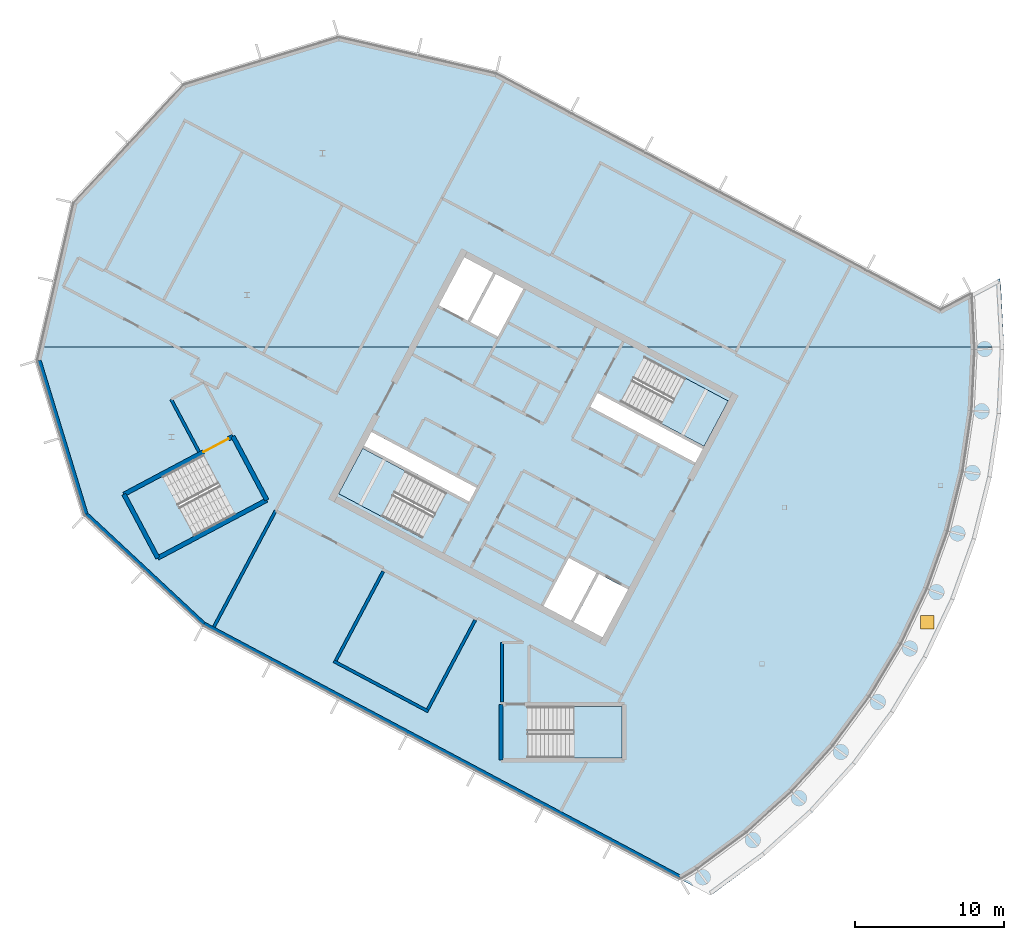
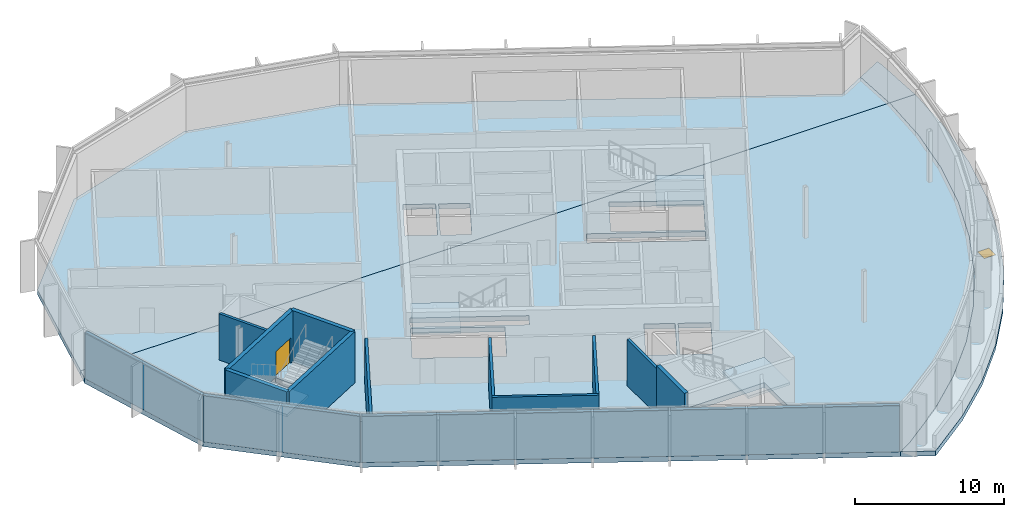
# One storey, part 5 of 15: 14 walls, 8 slabs, 2 doors, 2 openings, 4 elements without a shape of their own.
"""IFC4 building model written with IfcOpenShell, lengths in metres."""

from ifc_helpers import new_model, si_unit, direction, frame, frame_2d, origin, origin_2d, place, context, subcontext, project, spatial, polyline, rectangle, outline, extrude, material, layer, layer_set, type_object, element, fill, aggregate, save


model = new_model("IFC4")

# Units and contexts
model_context = context("Model", 3, precision=1e-05, world=origin(), true_north=direction((0.0, 1.0)))
body_context = subcontext(model_context, "Body", "Model", "MODEL_VIEW")
ifc_project = project(units=[si_unit("LENGTHUNIT", "METRE"), si_unit("AREAUNIT", "SQUARE_METRE"), si_unit("VOLUMEUNIT", "CUBIC_METRE"), si_unit("PLANEANGLEUNIT", "RADIAN"), si_unit("MASSUNIT", "GRAM", prefix="KILO")], contexts=[model_context])

# Site, building, storey
site_placement = place(None, origin())
site = spatial("IfcSite", under=ifc_project, at=site_placement, CompositionType="ELEMENT")
building_placement = place(site_placement, origin())
building = spatial("IfcBuilding", under=site, at=building_placement, Name="Cormorant Relay Tower", CompositionType="ELEMENT")
storey_placement = place(building_placement, frame((0.0, 0.0, 336.60009765625)))
storey = spatial("IfcBuildingStorey", under=building, at=storey_placement, Name="C3", CompositionType="ELEMENT", Elevation=336.60009765625)

# Slabs
ifc_material_1 = material(Name="Concrete 40 MPa", Category="concrete")
ifc_layer_1 = layer(ifc_material_1, 0.400146484375)
ifc_layer_set_1 = layer_set([ifc_layer_1], Name="Crown floor slab 400")
slab_type_1 = type_object("IfcSlabType", Name="Crown floor slab 400", PredefinedType="FLOOR", material=ifc_layer_set_1)
slab_1_placement = place(storey_placement, frame((0.0, 0.0, -0.400390625)))
element("IfcSlab", 1, at=slab_1_placement, inside=storey, type_object=slab_type_1, Name="Crown floor C3", PredefinedType="FLOOR", context=body_context, shape_type="SweptSolid", body=[
    extrude(outline(polyline([(-17.520751953125, -14.468017578125), (-16.398681640625, -13.79541015625), (-13.088134765625, -11.340087890625), (-10.0341796875, -8.572265625), (-7.26611328125, -5.518310546875), (-4.810791015625, -2.207763671875), (-2.69189453125, 1.32763671875), (-0.9296875, 5.053466796875), (0.458984375, 8.934326171875), (1.460205078125, 12.932373046875), (2.065185546875, 17.009521484375), (2.267333984375, 21.126220703125), (2.2587890625, 21.300048828125), (-60.510498046875, 21.300048828125), (-60.7197265625, 20.393310546875), (-57.541748046875, 9.997802734375), (-49.591552734375, 2.584228515625), (-17.520751953125, -14.468017578125)]), holes=[polyline([(-21.39990234375, -2.875), (-27.75, -2.875), (-27.75, -6.324951171875), (-21.39990234375, -6.324951171875), (-21.39990234375, -2.875)]), polyline([(-22.95458984375, 6.03271484375), (-24.668212890625, 2.81005859375), (-22.725830078125, 1.777099609375), (-21.01220703125, 5.0), (-23.04296875, 6.07958984375), (-22.95458984375, 6.03271484375)]), polyline([(-24.985595703125, 7.112548828125), (-26.69921875, 3.889892578125), (-24.844970703125, 2.90380859375), (-23.13134765625, 6.126708984375), (-23.04296875, 6.07958984375), (-24.985595703125, 7.112548828125)]), polyline([(-54.69970703125, 11.330810546875), (-52.563720703125, 7.3134765625), (-47.442626953125, 10.036376953125), (-49.57861328125, 14.0537109375), (-54.69970703125, 11.330810546875)]), polyline([(-38.847900390625, 14.483154296875), (-40.46728515625, 11.43701171875), (-34.860595703125, 8.455810546875), (-33.240966796875, 11.502197265625), (-38.847900390625, 14.483154296875)]), polyline([(-31.690185546875, 10.904052734375), (-31.197265625, 11.8310546875), (-38.260986328125, 15.5869140625), (-38.75390625, 14.659912109375), (-31.690185546875, 10.904052734375)]), polyline([(-23.052490234375, 18.203125), (-23.54541015625, 17.276123046875), (-16.481689453125, 13.520263671875), (-15.989013671875, 14.447509765625), (-23.052490234375, 18.203125)]), polyline([(-14.275390625, 17.670166015625), (-19.882080078125, 20.6513671875), (-21.501708984375, 17.605224609375), (-15.89501953125, 14.6240234375), (-14.275390625, 17.670166015625)])]), origin(), (0.0, 0.0, 1.0), 0.400390625),
])
slab_2_placement = place(storey_placement, frame((0.0, 0.0, -0.400390625)))
element("IfcSlab", 2, at=slab_2_placement, inside=storey, type_object=slab_type_1, Name="Crown floor C3", PredefinedType="FLOOR", context=body_context, shape_type="SweptSolid", body=[
    extrude(outline(polyline([(-60.510498046875, 21.300048828125), (2.2587890625, 21.300048828125), (2.08251953125, 24.89111328125), (0.0, 23.783935546875), (-29.873779296875, 39.668212890625), (-40.465576171875, 42.11328125), (-50.86083984375, 38.935302734375), (-58.2744140625, 30.985107421875), (-60.510498046875, 21.300048828125)]), holes=[polyline([(-29.75732421875, 21.99462890625), (-28.043701171875, 25.217529296875), (-29.89794921875, 26.203369140625), (-31.611572265625, 22.980712890625), (-29.75732421875, 21.99462890625)]), polyline([(-33.73046875, 24.107421875), (-31.7880859375, 23.074462890625), (-30.074462890625, 26.29736328125), (-32.01708984375, 27.330078125), (-33.73046875, 24.107421875)])]), origin(), (0.0, 0.0, 1.0), 0.400390625),
])

# Slab, opening, door
ifc_material_2 = material(Name="Concrete 40 MPa", Category="concrete")
ifc_layer_2 = layer(ifc_material_2, 0.400146484375)
ifc_layer_set_2 = layer_set([ifc_layer_2], Name="Crown terrace roof slab 400")
slab_type_2 = type_object("IfcSlabType", Name="Crown terrace roof slab 400", PredefinedType="ROOF", material=ifc_layer_set_2)
slab_3_placement = place(storey_placement, frame((0.0, 0.0, -0.400390625)))
slab_3 = element("IfcSlab", 3, at=slab_3_placement, inside=storey, type_object=slab_type_2, Name="Roof C2", PredefinedType="ROOF", context=body_context, shape_type="SweptSolid", body=[
    extrude(outline(polyline([(-15.461669921875, -15.562744140625), (-15.28759765625, -15.45849609375), (-11.8193359375, -12.88623046875), (-8.619873046875, -9.986572265625), (-5.72021484375, -6.787109375), (-3.14794921875, -3.31884765625), (-0.927978515625, 0.384765625), (0.918212890625, 4.2880859375), (2.372802734375, 8.353759765625), (3.421875, 12.542236328125), (4.055419921875, 16.8134765625), (4.267333984375, 21.126220703125), (4.2587890625, 21.300048828125), (2.259765625, 21.300048828125), (2.268310546875, 21.126220703125), (2.268310546875, 21.126220703125), (2.066162109375, 17.009521484375), (2.066162109375, 17.009521484375), (1.461181640625, 12.932373046875), (1.461181640625, 12.93212890625), (0.459716796875, 8.93408203125), (0.459716796875, 8.933837890625), (-0.9287109375, 5.05322265625), (-0.9287109375, 5.052978515625), (-2.69091796875, 1.3271484375), (-2.691162109375, 1.326904296875), (-4.81005859375, -2.208251953125), (-4.81005859375, -2.208251953125), (-7.265380859375, -5.518798828125), (-7.265380859375, -5.51904296875), (-10.033447265625, -8.572998046875), (-10.033447265625, -8.572998046875), (-13.08740234375, -11.341064453125), (-13.08740234375, -11.341064453125), (-16.398193359375, -13.79638671875), (-16.398193359375, -13.79638671875), (-17.519775390625, -14.468505859375), (-15.461669921875, -15.562744140625)])), origin(), (0.0, 0.0, 1.0), 0.400390625),
])
opening_1_placement = place(slab_3_placement, frame((-0.89892578125, 2.781005859375, 0.0)))
opening_1 = element("IfcOpeningElement", 4, at=opening_1_placement, cuts=slab_3, Name="Opening CRD3-002", PredefinedType="OPENING", context=body_context, shape_type="SweptSolid", body=[
    extrude(rectangle(XDim=0.89990234375, YDim=0.89990234375, at=origin_2d()), origin(), (0.0, 0.0, 1.0), 0.400390625),
])
ifc_material_3 = material(Name="Aluminium hatch", Category="aluminium")
door_type_1 = type_object("IfcDoorType", Name="Roof hatch 900 x 900", OperationType="SINGLE_SWING_LEFT", PredefinedType="TRAPDOOR", material=ifc_material_3)
door_1_placement = place(opening_1_placement, frame((0.0, 0.0, 0.350341796875)))
door_1 = element("IfcDoor", 5, at=door_1_placement, inside=storey, type_object=door_type_1, Name="Maintenance roof hatch", OperationType="SINGLE_SWING_LEFT", OverallHeight=0.89990234375, OverallWidth=0.89990234375, PredefinedType="TRAPDOOR", context=body_context, shape_type="SweptSolid", body=[
    extrude(rectangle(XDim=0.89990234375, YDim=0.89990234375, at=origin_2d()), origin(), (0.0, 0.0, 1.0), 0.050048828125),
])
fill(opening_1, door_1)

# Slab
slab_4_placement = place(storey_placement, frame((0.0, 0.0, -0.400390625)))
element("IfcSlab", 6, at=slab_4_placement, inside=storey, type_object=slab_type_2, Name="Roof C2", PredefinedType="ROOF", context=body_context, shape_type="SweptSolid", body=[
    extrude(outline(polyline([(2.259765625, 21.300048828125), (4.2587890625, 21.300048828125), (4.055419921875, 25.43896484375), (3.986572265625, 25.90380859375), (2.083251953125, 24.8916015625), (2.083251953125, 24.8916015625), (2.083251953125, 24.8916015625), (2.08349609375, 24.891357421875), (2.08349609375, 24.891357421875), (2.08349609375, 24.891357421875), (2.259765625, 21.300048828125)])), origin(), (0.0, 0.0, 1.0), 0.400390625),
])

# Stair, slab
ifc_material_4 = material(Name="Concrete 40 MPa", Category="concrete")
stair_type_1 = type_object("IfcStairType", Name="Exit stair 1500", PredefinedType="HALF_TURN_STAIR", material=ifc_material_4)
stair_1_placement = place(storey_placement, origin())
stair_1 = element("IfcStair", 7, at=stair_1_placement, inside=storey, type_object=stair_type_1, Name="C3 Stair", PredefinedType="HALF_TURN_STAIR")
ifc_material_5 = material(Name="Concrete 40 MPa", Category="concrete")
ifc_layer_3 = layer(ifc_material_5, 0.199951171875)
ifc_layer_set_3 = layer_set([ifc_layer_3], Name="Exit stair landing 200")
slab_type_3 = type_object("IfcSlabType", Name="Exit stair landing 200", PredefinedType="LANDING", material=ifc_layer_set_3)
slab_5_placement = place(storey_placement, frame((0.0, 0.0, 1.89990234375)))
slab_5 = element("IfcSlab", 8, at=slab_5_placement, type_object=slab_type_3, Name="A1 landing 1", PredefinedType="LANDING", context=body_context, shape_type="SweptSolid", body=[
    extrude(outline(polyline([(-18.7822265625, 16.1591796875), (-15.89501953125, 14.6240234375), (-14.275390625, 17.670166015625), (-17.16259765625, 19.205322265625), (-18.7822265625, 16.1591796875)])), origin(), (0.0, 0.0, 1.0), 0.199951171875),
])
aggregate(stair_1, [slab_5])

stair_2_placement = place(storey_placement, origin())
stair_2 = element("IfcStair", 9, at=stair_2_placement, inside=storey, type_object=stair_type_1, Name="C3 Stair", PredefinedType="HALF_TURN_STAIR")
slab_6_placement = place(storey_placement, frame((0.0, 0.0, 1.89990234375)))
slab_6 = element("IfcSlab", 10, at=slab_6_placement, type_object=slab_type_3, Name="A2 landing 1", PredefinedType="LANDING", context=body_context, shape_type="SweptSolid", body=[
    extrude(outline(polyline([(-35.96044921875, 12.947998046875), (-38.84765625, 14.483154296875), (-40.467529296875, 11.43701171875), (-37.580322265625, 9.90185546875), (-35.96044921875, 12.947998046875)])), origin(), (0.0, 0.0, 1.0), 0.199951171875),
])
aggregate(stair_2, [slab_6])

ifc_material_6 = material(Name="Concrete 40 MPa", Category="concrete")
stair_type_2 = type_object("IfcStairType", Name="Remote exit stair 2200", PredefinedType="HALF_TURN_STAIR", material=ifc_material_6)
stair_3_placement = place(storey_placement, origin())
stair_3 = element("IfcStair", 11, at=stair_3_placement, inside=storey, type_object=stair_type_2, Name="C3 Stair", PredefinedType="HALF_TURN_STAIR")
slab_7_placement = place(storey_placement, frame((0.0, 0.0, 1.89990234375)))
slab_7 = element("IfcSlab", 12, at=slab_7_placement, type_object=slab_type_3, Name="RP1 landing 1", PredefinedType="LANDING", context=body_context, shape_type="SweptSolid", body=[
    extrude(outline(polyline([(-52.29833984375, 12.607666015625), (-54.699951171875, 11.330810546875), (-52.563720703125, 7.3134765625), (-50.162109375, 8.59033203125), (-52.29833984375, 12.607666015625)])), origin(), (0.0, 0.0, 1.0), 0.199951171875),
])
aggregate(stair_3, [slab_7])

stair_4_placement = place(storey_placement, origin())
stair_4 = element("IfcStair", 13, at=stair_4_placement, inside=storey, type_object=stair_type_1, Name="C3 Stair", PredefinedType="HALF_TURN_STAIR")
slab_8_placement = place(storey_placement, frame((0.0, 0.0, 1.89990234375)))
slab_8 = element("IfcSlab", 14, at=slab_8_placement, type_object=slab_type_3, Name="RC1 landing 1", PredefinedType="LANDING", context=body_context, shape_type="SweptSolid", body=[
    extrude(outline(polyline([(-24.669921875, -6.324951171875), (-21.39990234375, -6.324951171875), (-21.39990234375, -2.875), (-24.669921875, -2.875), (-24.669921875, -6.324951171875)])), origin(), (0.0, 0.0, 1.0), 0.199951171875),
])
aggregate(stair_4, [slab_8])

# Walls
ifc_material_7 = material(Name="Concrete 30 MPa block wall", Category="concrete")
ifc_layer_4 = layer(ifc_material_7, 0.199951171875)
ifc_layer_set_4 = layer_set([ifc_layer_4], Name="Crown plant room wall 200")
wall_type_1 = type_object("IfcWallType", Name="Crown plant room wall 200", PredefinedType="PARTITIONING", material=ifc_layer_set_4)
wall_1_placement = place(storey_placement, frame((-34.43701171875, -3.208251953125, 0.0), z_axis=(0.0, 0.0, 1.0), x_axis=(-0.882957622595, 0.46945269911, 0.0)))
element("IfcWall", 15, at=wall_1_placement, inside=storey, type_object=wall_type_1, Name="Plant room wall", PredefinedType="PARTITIONING", context=body_context, shape_type="SweptSolid", body=[
    extrude(rectangle(XDim=7.2001953125, YDim=0.199951171875, at=frame_2d((3.60009765625, 0.0))), origin(), (0.0, 0.0, 1.0), 3.7998046875),
])
for number, where, z_axis, x_axis, name in (
    (16, (-31.2861328125, 2.930908203125, 0.0), (0.0, 0.0, 1.0), (-0.469477207229, -0.882944591632, 0.0), "Plant room wall"),
    (17, (-37.466796875, 6.21728515625, 0.0), (0.0, 0.0, 1.0), (-0.469477207229, -0.882944591632, 0.0), "Plant room wall"),
):
    element("IfcWall", number, at=place(storey_placement, frame(where, z_axis=z_axis, x_axis=x_axis)), inside=storey, type_object=wall_type_1, Name=name, PredefinedType="PARTITIONING", context=body_context, shape_type="SweptSolid", body=[
        extrude(rectangle(XDim=6.7998046875, YDim=0.199951171875, at=frame_2d((3.39990234375, 0.0))), origin(), (0.0, 0.0, 1.0), 3.7998046875),
    ])
for number, where, z_axis, x_axis, name in (
    (18, (-49.851806640625, 14.248291015625, 0.0), (0.0, 0.0, 1.0), (-0.469510728702, 0.882926766858, 0.0), "Plant room wall"),
    (19, (-29.474853515625, -2.574951171875, 0.0), (0.0, 0.0, 1.0), (-6.1038882e-05, 0.999999998137, 0.0), "Plant room wall"),
):
    element("IfcWall", number, at=place(storey_placement, frame(where, z_axis=z_axis, x_axis=x_axis)), inside=storey, type_object=wall_type_1, Name=name, PredefinedType="PARTITIONING", context=body_context, shape_type="SweptSolid", body=[
        extrude(rectangle(XDim=3.999755859375, YDim=0.199951171875, at=frame_2d((2.0, 0.0))), origin(), (0.0, 0.0, 1.0), 3.7998046875),
    ])
wall_2_placement = place(storey_placement, frame((-44.69287109375, 10.30859375, 0.0), z_axis=(0.0, 0.0, 1.0), x_axis=(-0.469467804358, -0.88294959124, 0.0)))
element("IfcWall", 20, at=wall_2_placement, inside=storey, type_object=wall_type_1, Name="Plant room wall", PredefinedType="PARTITIONING", context=body_context, shape_type="SweptSolid", body=[
    extrude(rectangle(XDim=8.86962890625, YDim=0.199951171875, at=frame_2d((4.434814453125, 0.0))), origin(), (0.0, 0.0, 1.0), 3.7998046875),
])
ifc_material_8 = material(Name="Bronze cladding on Concrete 30 MPa block wall", Category="concrete")
ifc_layer_5 = layer(ifc_material_8, 0.25)
ifc_layer_set_5 = layer_set([ifc_layer_5], Name="Crown wall 250")
wall_type_2 = type_object("IfcWallType", Name="Crown wall 250", PredefinedType="STANDARD", material=ifc_layer_set_5)
wall_3_placement = place(storey_placement, frame((-57.431884765625, 10.06640625, 0.0), z_axis=(0.0, 0.0, 1.0), x_axis=(-0.292379862982, 0.956302261695, 0.0)))
element("IfcWall", 21, at=wall_3_placement, inside=storey, type_object=wall_type_2, Name="Crown wall C3", PredefinedType="STANDARD", context=body_context, shape_type="SweptSolid", body=[
    extrude(rectangle(XDim=10.803466796875, YDim=0.25, at=frame_2d((5.40185546875, 0.0))), origin(), (0.0, 0.0, 1.0), 3.7998046875),
])
wall_4_placement = place(storey_placement, frame((-17.5244140625, -14.324462890625, 0.0), z_axis=(0.0, 0.0, 1.0), x_axis=(-0.882947385881, 0.469471952054, 0.0)))
element("IfcWall", 22, at=wall_4_placement, inside=storey, type_object=wall_type_2, Name="Crown wall C3", PredefinedType="STANDARD", context=body_context, shape_type="SweptSolid", body=[
    extrude(rectangle(XDim=36.2353515625, YDim=0.25, at=frame_2d((18.11767578125, 0.0))), origin(), (0.0, 0.0, 1.0), 3.7998046875),
])
wall_5_placement = place(storey_placement, frame((-49.518310546875, 2.68701171875, 0.0), z_axis=(0.0, 0.0, 1.0), x_axis=(-0.731359823822, 0.681991794745, 0.0)))
element("IfcWall", 23, at=wall_5_placement, inside=storey, type_object=wall_type_2, Name="Crown wall C3", PredefinedType="STANDARD", context=body_context, shape_type="SweptSolid", body=[
    extrude(rectangle(XDim=10.8203125, YDim=0.25, at=frame_2d((5.41015625, 0.0))), origin(), (0.0, 0.0, 1.0), 3.7998046875),
])
ifc_material_9 = material(Name="Concrete 50 MPa", Category="concrete")
ifc_layer_6 = layer(ifc_material_9, 0.300048828125)
ifc_layer_set_6 = layer_set([ifc_layer_6], Name="Remote stair wall 300")
wall_type_3 = type_object("IfcWallType", Name="Remote stair wall 300", PredefinedType="SHEAR", material=ifc_layer_set_6)
wall_6_placement = place(storey_placement, frame((-47.57421875, 15.28955078125, 0.0), z_axis=(0.0, 0.0, 1.0), x_axis=(0.469443498566, -0.882962514297, 0.0)))
element("IfcWall", 24, at=wall_6_placement, inside=storey, type_object=wall_type_3, Name="C3 exit stair RP1 wall", PredefinedType="SHEAR", context=body_context, shape_type="SweptSolid", body=[
    extrude(rectangle(XDim=4.85009765625, YDim=0.300048828125, at=frame_2d((2.425048828125, 0.0))), origin(), (0.0, 0.0, 1.0), 4.199951171875),
])
wall_7_placement = place(storey_placement, frame((-45.29736328125, 11.007080078125, 0.0), z_axis=(0.0, 0.0, 1.0), x_axis=(-0.882951519127, -0.469464178475, 0.0)))
element("IfcWall", 25, at=wall_7_placement, inside=storey, type_object=wall_type_3, Name="C3 exit stair RP1 wall", PredefinedType="SHEAR", context=body_context, shape_type="SweptSolid", body=[
    extrude(rectangle(XDim=8.2998046875, YDim=0.300048828125, at=frame_2d((4.14990234375, 0.0))), origin(), (0.0, 0.0, 1.0), 4.199951171875),
])
wall_8_placement = place(storey_placement, frame((-52.625732421875, 7.110595703125, 0.0), z_axis=(0.0, 0.0, 1.0), x_axis=(-0.469464364128, 0.882951420416, 0.0)))
element("IfcWall", 26, at=wall_8_placement, inside=storey, type_object=wall_type_3, Name="C3 exit stair RP1 wall", PredefinedType="SHEAR", context=body_context, shape_type="SweptSolid", body=[
    extrude(rectangle(XDim=4.849853515625, YDim=0.300048828125, at=frame_2d((2.4248046875, 0.0))), origin(), (0.0, 0.0, 1.0), 4.199951171875),
])

# Wall, opening, door
wall_9_placement = place(storey_placement, frame((-54.902587890625, 11.392822265625, 0.0), z_axis=(0.0, 0.0, 1.0), x_axis=(0.882939326045, 0.469487110071, 0.0)))
wall_9 = element("IfcWall", 27, at=wall_9_placement, inside=storey, type_object=wall_type_3, Name="C3 exit stair RP1 wall", PredefinedType="SHEAR", context=body_context, shape_type="SweptSolid", body=[
    extrude(rectangle(XDim=8.300048828125, YDim=0.300048828125, at=frame_2d((4.14990234375, 0.0))), origin(), (0.0, 0.0, 1.0), 4.199951171875),
])
opening_2_placement = place(wall_9_placement, frame((6.050048828125, 0.0, 0.0)))
opening_2 = element("IfcOpeningElement", 28, at=opening_2_placement, cuts=wall_9, Name="Opening CDE-018", PredefinedType="OPENING", context=body_context, shape_type="SweptSolid", body=[
    extrude(rectangle(XDim=1.89990234375, YDim=2.10009765625, at=frame_2d((0.949951171875, 1.050048828125))), frame((0.0, 0.159912109375, 0.0), z_axis=(0.0, -1.0, 0.0), x_axis=(1.0, 0.0, 0.0)), (0.0, 0.0, 1.0), 0.320068359375),
])
ifc_material_10 = material(Name="Steel fire door", Category="steel")
door_type_2 = type_object("IfcDoorType", Name="Remote stair door 1900x2100", OperationType="DOUBLE_DOOR_SINGLE_SWING", PredefinedType="DOOR", material=ifc_material_10)
door_2_placement = place(opening_2_placement, origin())
door_2 = element("IfcDoor", 29, at=door_2_placement, inside=storey, type_object=door_type_2, Name="Exit stair RP1 door", OperationType="DOUBLE_DOOR_SINGLE_SWING", OverallHeight=2.10009765625, OverallWidth=1.89990234375, PredefinedType="DOOR", context=body_context, shape_type="SweptSolid", body=[
    extrude(rectangle(XDim=1.89990234375, YDim=2.10009765625, at=frame_2d((0.949951171875, 1.050048828125))), frame((0.0, 0.02490234375, 0.0), z_axis=(0.0, -1.0, 0.0), x_axis=(1.0, 0.0, 0.0)), (0.0, 0.0, 1.0), 0.050048828125),
])
fill(opening_2, door_2)

# Wall
wall_10_placement = place(storey_placement, frame((-29.550048828125, -6.47509765625, 0.0), z_axis=(0.0, 0.0, 1.0), x_axis=(0.0, 1.0, 0.0)))
element("IfcWall", 30, at=wall_10_placement, inside=storey, type_object=wall_type_3, Name="C3 exit stair RC1 wall", PredefinedType="SHEAR", context=body_context, shape_type="SweptSolid", body=[
    extrude(rectangle(XDim=3.75, YDim=0.300048828125, at=frame_2d((1.875, 0.0))), origin(), (0.0, 0.0, 1.0), 4.199951171875),
])

save(model, "model.ifc")
